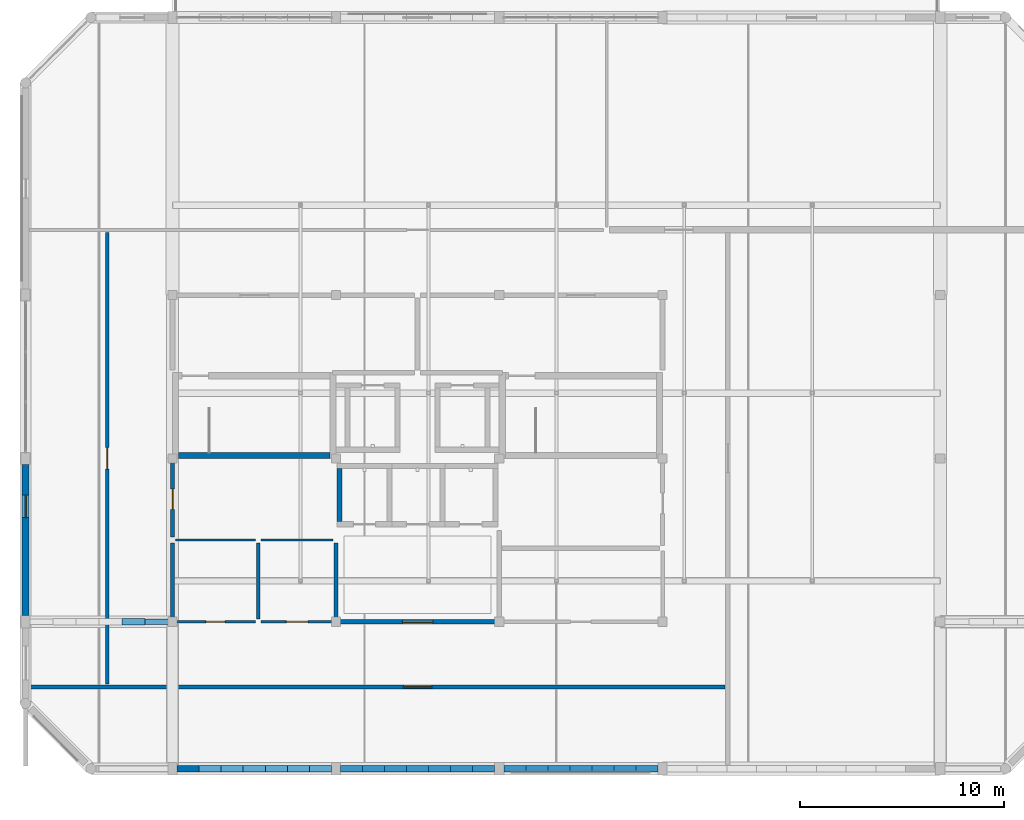
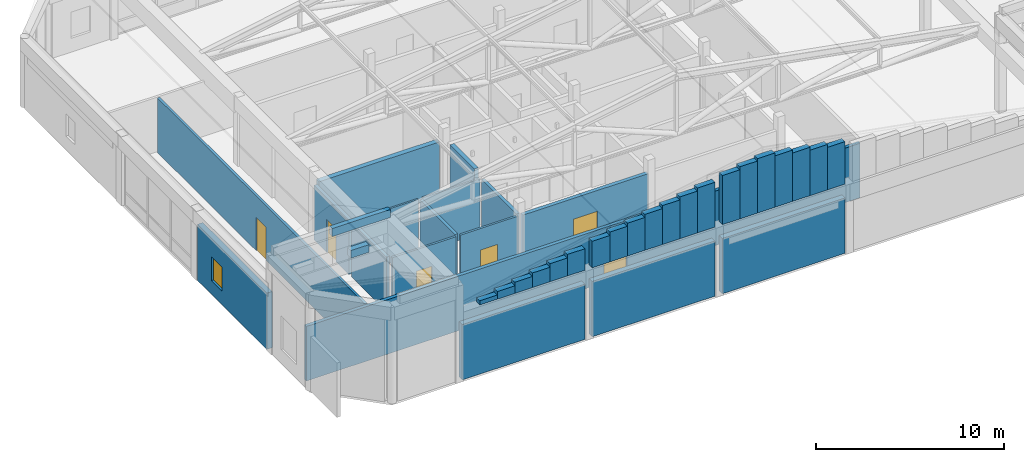
# One storey, part 19 of 24: 39 walls, 6 doors, 1 window, 7 openings.
"""IFC4 building model written with IfcOpenShell, lengths in metres."""

from ifc_helpers import new_model, si_unit, direction, frame, frame_2d, origin, place, context, subcontext, project, spatial, rectangle, extrude, material, layer, layer_set, type_object, element, fill, save


model = new_model("IFC4")

# Units and contexts
model_context = context("Model", 3, precision=1e-05, world=origin(), true_north=direction((0.0, 1.0)))
body_context = subcontext(model_context, "Body", "Model", "MODEL_VIEW")
ifc_project = project(units=[si_unit("LENGTHUNIT", "METRE"), si_unit("AREAUNIT", "SQUARE_METRE"), si_unit("VOLUMEUNIT", "CUBIC_METRE"), si_unit("PLANEANGLEUNIT", "RADIAN"), si_unit("MASSUNIT", "GRAM", prefix="KILO")], contexts=[model_context])

# Site, building, storey
site_placement = place(None, origin())
site = spatial("IfcSite", under=ifc_project, at=site_placement, CompositionType="ELEMENT")
building_placement = place(site_placement, origin())
building = spatial("IfcBuilding", under=site, at=building_placement, Name="Vellmiral Cinema and Media Centre", CompositionType="ELEMENT")
storey_placement = place(building_placement, frame((0.0, 0.0, 66.60009765625)))
storey = spatial("IfcBuildingStorey", under=building, at=storey_placement, Name="L16", CompositionType="ELEMENT", Elevation=66.60009765625)

# Wall, opening, door
ifc_material_1 = material(Name="Concrete C40/50", Category="concrete")
ifc_layer_1 = layer(ifc_material_1, 0.2099609375, Name="Concrete C40/50")
ifc_layer_set_1 = layer_set([ifc_layer_1], Name="Concrete C40/50")
wall_type_1 = type_object("IfcWallType", Name="WL-COMP-210", PredefinedType="SOLIDWALL", material=ifc_layer_set_1)
wall_1_placement = place(storey_placement, frame((124.0, 83.340087890625, 0.0), z_axis=(0.0, 0.0, 1.0), x_axis=(0.0, 1.0, 0.0)))
wall_1 = element("IfcWall", 1, at=wall_1_placement, inside=storey, type_object=wall_type_1, Name="Electrical and Telecom Riser Room Wall W", PredefinedType="SOLIDWALL", context=body_context, shape_type="SweptSolid", body=[
    extrude(rectangle(XDim=3.719970703125, YDim=0.2099609375, at=frame_2d((1.85986328125, 0.0))), origin(), (0.0, 0.0, 1.0), 3.5498046875),
])
opening_1_placement = place(wall_1_placement, frame((1.360107421875, 0.0, 0.0)))
opening_1 = element("IfcOpeningElement", 2, at=opening_1_placement, cuts=wall_1, Name="Opening D-FD30B", PredefinedType="OPENING", context=body_context, shape_type="SweptSolid", body=[
    extrude(rectangle(XDim=1.0, YDim=2.14990234375, at=frame_2d((0.5, 1.074951171875))), frame((0.0, 0.116943359375, 0.0), z_axis=(0.0, -1.0, 0.0), x_axis=(1.0, 0.0, 0.0)), (0.0, 0.0, 1.0), 0.23388671875),
])
ifc_material_2 = material(Name="Steel Riser Fire Door", Category="steel")
door_type_1 = type_object("IfcDoorType", Name="DR-FD30-1000x2150", OperationType="NOTDEFINED", PredefinedType="DOOR", material=ifc_material_2)
door_1_placement = place(opening_1_placement, frame((1.0, 0.0, 0.0), z_axis=(0.0, 0.0, 1.0), x_axis=(-1.0, 0.0, 0.0)))
door_1 = element("IfcDoor", 3, at=door_1_placement, inside=storey, type_object=door_type_1, Name="Electrical and Telecom Riser Room Door", OperationType="SINGLE_SWING_LEFT", OverallHeight=2.14990234375, OverallWidth=1.0, PredefinedType="DOOR", context=body_context, shape_type="SweptSolid", body=[
    extrude(rectangle(XDim=1.0, YDim=2.14990234375, at=frame_2d((0.5, 1.074951171875))), frame((0.0, 0.02490234375, 0.0), z_axis=(0.0, -1.0, 0.0), x_axis=(1.0, 0.0, 0.0)), (0.0, 0.0, 1.0), 0.050048828125),
])
fill(opening_1, door_1)

wall_2_placement = place(storey_placement, frame((116.97509765625, 76.0, 0.0), z_axis=(0.0, 0.0, 1.0), x_axis=(1.0, 0.0, 0.0)))
wall_2 = element("IfcWall", 4, at=wall_2_placement, inside=storey, type_object=wall_type_1, Name="Crown Smoke-Extract and AHU Plant Room Wall N", PredefinedType="SOLIDWALL", context=body_context, shape_type="SweptSolid", body=[
    extrude(rectangle(XDim=34.0849609375, YDim=0.2099609375, at=frame_2d((17.04248046875, 0.0))), origin(), (0.0, 0.0, 1.0), 3.5498046875),
])
opening_2_placement = place(wall_2_placement, frame((18.324951171875, 0.0, 0.0)))
opening_2 = element("IfcOpeningElement", 5, at=opening_2_placement, cuts=wall_2, Name="Opening D-FD60B", PredefinedType="OPENING", context=body_context, shape_type="SweptSolid", body=[
    extrude(rectangle(XDim=1.39990234375, YDim=2.199951171875, at=frame_2d((0.699951171875, 1.10009765625))), frame((0.0, 0.116943359375, 0.0), z_axis=(0.0, -1.0, 0.0), x_axis=(1.0, 0.0, 0.0)), (0.0, 0.0, 1.0), 0.23388671875),
])
ifc_material_3 = material(Name="Steel Fire Door", Category="steel")
door_type_2 = type_object("IfcDoorType", Name="DR-FD60-1400x2200", OperationType="NOTDEFINED", PredefinedType="DOOR", material=ifc_material_3)
door_2_placement = place(opening_2_placement, frame((1.39990234375, 0.0, 0.0), z_axis=(0.0, 0.0, 1.0), x_axis=(-1.0, 0.0, 0.0)))
door_2 = element("IfcDoor", 6, at=door_2_placement, inside=storey, type_object=door_type_2, Name="Crown Smoke-Extract and AHU Plant Room Door", OperationType="SINGLE_SWING_LEFT", OverallHeight=2.199951171875, OverallWidth=1.39990234375, PredefinedType="DOOR", context=body_context, shape_type="SweptSolid", body=[
    extrude(rectangle(XDim=1.39990234375, YDim=2.199951171875, at=frame_2d((0.699951171875, 1.10009765625))), frame((0.0, 0.02490234375, 0.0), z_axis=(0.0, -1.0, 0.0), x_axis=(1.0, 0.0, 0.0)), (0.0, 0.0, 1.0), 0.050048828125),
])
fill(opening_2, door_2)

# Walls
ifc_material_4 = material(Name="Concrete C40/50", Category="concrete")
ifc_layer_2 = layer(ifc_material_4, 0.300048828125, Name="Concrete C40/50")
ifc_layer_set_2 = layer_set([ifc_layer_2], Name="Concrete C40/50")
wall_type_2 = type_object("IfcWallType", Name="WL-CORE-300", PredefinedType="SHEAR", material=ifc_layer_set_2)
wall_3_placement = place(storey_placement, frame((124.300048828125, 87.35009765625, 0.0), z_axis=(0.0, 0.0, 1.0), x_axis=(1.0, 0.0, 0.0)))
element("IfcWall", 7, at=wall_3_placement, inside=storey, type_object=wall_type_2, Name="Stair Core Wall ST-T1 L16-S", PredefinedType="SHEAR", context=body_context, shape_type="SweptSolid", body=[
    extrude(rectangle(XDim=7.39990234375, YDim=0.300048828125, at=frame_2d((3.699951171875, 0.0))), origin(), (0.0, 0.0, 1.0), 3.5498046875),
])
ifc_material_5 = material(Name="Polychrome Glazed Ceramic Cladding", Category="masonry")
ifc_layer_3 = layer(ifc_material_5, 0.320068359375, Name="Polychrome Glazed Ceramic Cladding")
ifc_layer_set_3 = layer_set([ifc_layer_3], Name="Polychrome Glazed Ceramic Cladding")
wall_type_3 = type_object("IfcWallType", Name="WL-EXT-BRICK-320", PredefinedType="SOLIDWALL", material=ifc_layer_set_3)
wall_4_placement = place(storey_placement, frame((132.22509765625, 72.0, 0.0), z_axis=(0.0, 0.0, 1.0), x_axis=(1.0, 0.0, 0.0)))
element("IfcWall", 8, at=wall_4_placement, inside=storey, type_object=wall_type_3, Name="Exterior Facade Wall L16-003", PredefinedType="SOLIDWALL", context=body_context, shape_type="SweptSolid", body=[
    extrude(rectangle(XDim=7.5498046875, YDim=0.320068359375, at=frame_2d((3.77490234375, 0.0))), origin(), (0.0, 0.0, 1.0), 3.599853515625),
])
ifc_material_6 = material(Name="Vosges Red Sandstone Masonry", Category="masonry")
ifc_layer_4 = layer(ifc_material_6, 0.340087890625, Name="Vosges Red Sandstone Masonry")
ifc_layer_set_4 = layer_set([ifc_layer_4], Name="Vosges Red Sandstone Masonry")
wall_type_4 = type_object("IfcWallType", Name="WL-EXT-SAND-340", PredefinedType="SOLIDWALL", material=ifc_layer_set_4)
for number, where, z_axis, x_axis, name in (
    (9, (124.22509765625, 72.0, 0.0), (0.0, 0.0, 1.0), (1.0, 0.0, 0.0), "Exterior Facade Wall L16-002"),
    (10, (140.22509765625, 72.0, 0.0), (0.0, 0.0, 1.0), (1.0, 0.0, 0.0), "Exterior Facade Wall L16-004"),
):
    element("IfcWall", number, at=place(storey_placement, frame(where, z_axis=z_axis, x_axis=x_axis)), inside=storey, type_object=wall_type_4, Name=name, PredefinedType="SOLIDWALL", context=body_context, shape_type="SweptSolid", body=[
        extrude(rectangle(XDim=7.5498046875, YDim=0.340087890625, at=frame_2d((3.77490234375, 0.0))), origin(), (0.0, 0.0, 1.0), 3.599853515625),
    ])

# Wall, opening, window
wall_5_placement = place(storey_placement, frame((116.800048828125, 86.89990234375, 0.0), z_axis=(0.0, 0.0, 1.0), x_axis=(0.0, -1.0, 0.0)))
wall_5 = element("IfcWall", 11, at=wall_5_placement, inside=storey, type_object=wall_type_4, Name="Exterior Facade Wall L16-022", PredefinedType="SOLIDWALL", context=body_context, shape_type="SweptSolid", body=[
    extrude(rectangle(XDim=7.39990234375, YDim=0.340087890625, at=frame_2d((3.699951171875, 0.0))), origin(), (0.0, 0.0, 1.0), 3.64990234375),
])
opening_3_placement = place(wall_5_placement, frame((1.5, 0.0, 0.89990234375)))
opening_3 = element("IfcOpeningElement", 12, at=opening_3_placement, cuts=wall_5, Name="Opening WN-11", PredefinedType="OPENING", context=body_context, shape_type="SweptSolid", body=[
    extrude(rectangle(XDim=1.10009765625, YDim=1.550048828125, at=frame_2d((0.550048828125, 0.77490234375))), frame((0.0, 0.18212890625, 0.0), z_axis=(0.0, -1.0, 0.0), x_axis=(1.0, 0.0, 0.0)), (0.0, 0.0, 1.0), 0.364013671875),
])
ifc_material_7 = material(Name="Thermally Broken Aluminium Triple Glazing", Category="aluminium")
window_type = type_object("IfcWindowType", Name="WN-1100x1550", PartitioningType="SINGLE_PANEL", PredefinedType="WINDOW", material=ifc_material_7)
window_placement = place(opening_3_placement, origin())
window = element("IfcWindow", 13, at=window_placement, inside=storey, type_object=window_type, Name="Window L16-022", OverallHeight=1.550048828125, OverallWidth=1.10009765625, PartitioningType="SINGLE_PANEL", PredefinedType="WINDOW", context=body_context, shape_type="SweptSolid", body=[
    extrude(rectangle(XDim=1.10009765625, YDim=1.550048828125, at=frame_2d((0.550048828125, 0.77490234375))), frame((0.0, 0.030029296875, 0.0), z_axis=(0.0, -1.0, 0.0), x_axis=(1.0, 0.0, 0.0)), (0.0, 0.0, 1.0), 0.06005859375),
])
fill(opening_3, window)

# Walls
wall_6_placement = place(storey_placement, frame((125.3037109375, 72.0, 4.5), z_axis=(0.0, 0.0, 1.0), x_axis=(1.0, 0.0, 0.0)))
element("IfcWall", 14, at=wall_6_placement, inside=storey, type_object=wall_type_4, Name="Tower Crown Catalan Barrel Vault Gable End Wall S-1", PredefinedType="SOLIDWALL", context=body_context, shape_type="SweptSolid", body=[
    extrude(rectangle(XDim=1.078369140625, YDim=0.340087890625, at=frame_2d((0.5390625, 0.0))), origin(), (0.0, 0.0, 1.0), 0.272216796875),
])
wall_7_placement = place(storey_placement, frame((126.382080078125, 72.0, 4.5), z_axis=(0.0, 0.0, 1.0), x_axis=(1.0, 0.0, 0.0)))
element("IfcWall", 15, at=wall_7_placement, inside=storey, type_object=wall_type_4, Name="Tower Crown Catalan Barrel Vault Gable End Wall S-2", PredefinedType="SOLIDWALL", context=body_context, shape_type="SweptSolid", body=[
    extrude(rectangle(XDim=1.07861328125, YDim=0.340087890625, at=frame_2d((0.539306640625, 0.0))), origin(), (0.0, 0.0, 1.0), 0.49755859375),
])
wall_8_placement = place(storey_placement, frame((127.460693359375, 72.0, 4.5), z_axis=(0.0, 0.0, 1.0), x_axis=(1.0, 0.0, 0.0)))
element("IfcWall", 16, at=wall_8_placement, inside=storey, type_object=wall_type_4, Name="Tower Crown Catalan Barrel Vault Gable End Wall S-3", PredefinedType="SOLIDWALL", context=body_context, shape_type="SweptSolid", body=[
    extrude(rectangle(XDim=1.07861328125, YDim=0.340087890625, at=frame_2d((0.539306640625, 0.0))), origin(), (0.0, 0.0, 1.0), 0.722900390625),
])
wall_9_placement = place(storey_placement, frame((128.539306640625, 72.0, 4.5), z_axis=(0.0, 0.0, 1.0), x_axis=(1.0, 0.0, 0.0)))
element("IfcWall", 17, at=wall_9_placement, inside=storey, type_object=wall_type_4, Name="Tower Crown Catalan Barrel Vault Gable End Wall S-4", PredefinedType="SOLIDWALL", context=body_context, shape_type="SweptSolid", body=[
    extrude(rectangle(XDim=1.07861328125, YDim=0.340087890625, at=frame_2d((0.539306640625, 0.0))), origin(), (0.0, 0.0, 1.0), 0.9482421875),
])
wall_10_placement = place(storey_placement, frame((129.617919921875, 72.0, 4.5), z_axis=(0.0, 0.0, 1.0), x_axis=(1.0, 0.0, 0.0)))
element("IfcWall", 18, at=wall_10_placement, inside=storey, type_object=wall_type_4, Name="Tower Crown Catalan Barrel Vault Gable End Wall S-5", PredefinedType="SOLIDWALL", context=body_context, shape_type="SweptSolid", body=[
    extrude(rectangle(XDim=1.078369140625, YDim=0.340087890625, at=frame_2d((0.5390625, 0.0))), origin(), (0.0, 0.0, 1.0), 1.173583984375),
])
wall_11_placement = place(storey_placement, frame((130.6962890625, 72.0, 4.5), z_axis=(0.0, 0.0, 1.0), x_axis=(1.0, 0.0, 0.0)))
element("IfcWall", 19, at=wall_11_placement, inside=storey, type_object=wall_type_4, Name="Tower Crown Catalan Barrel Vault Gable End Wall S-6", PredefinedType="SOLIDWALL", context=body_context, shape_type="SweptSolid", body=[
    extrude(rectangle(XDim=1.07861328125, YDim=0.340087890625, at=frame_2d((0.539306640625, 0.0))), origin(), (0.0, 0.0, 1.0), 1.39892578125),
])
wall_12_placement = place(storey_placement, frame((132.22509765625, 72.0, 4.5), z_axis=(0.0, 0.0, 1.0), x_axis=(1.0, 0.0, 0.0)))
element("IfcWall", 20, at=wall_12_placement, inside=storey, type_object=wall_type_4, Name="Tower Crown Catalan Barrel Vault Gable End Wall S-7", PredefinedType="SOLIDWALL", context=body_context, shape_type="SweptSolid", body=[
    extrude(rectangle(XDim=1.07861328125, YDim=0.340087890625, at=frame_2d((0.539306640625, 0.0))), origin(), (0.0, 0.0, 1.0), 1.71826171875),
])
wall_13_placement = place(storey_placement, frame((133.3037109375, 72.0, 4.5), z_axis=(0.0, 0.0, 1.0), x_axis=(1.0, 0.0, 0.0)))
element("IfcWall", 21, at=wall_13_placement, inside=storey, type_object=wall_type_4, Name="Tower Crown Catalan Barrel Vault Gable End Wall S-8", PredefinedType="SOLIDWALL", context=body_context, shape_type="SweptSolid", body=[
    extrude(rectangle(XDim=1.078369140625, YDim=0.340087890625, at=frame_2d((0.5390625, 0.0))), origin(), (0.0, 0.0, 1.0), 1.943603515625),
])
wall_14_placement = place(storey_placement, frame((134.382080078125, 72.0, 4.5), z_axis=(0.0, 0.0, 1.0), x_axis=(1.0, 0.0, 0.0)))
element("IfcWall", 22, at=wall_14_placement, inside=storey, type_object=wall_type_4, Name="Tower Crown Catalan Barrel Vault Gable End Wall S-9", PredefinedType="SOLIDWALL", context=body_context, shape_type="SweptSolid", body=[
    extrude(rectangle(XDim=1.07861328125, YDim=0.340087890625, at=frame_2d((0.539306640625, 0.0))), origin(), (0.0, 0.0, 1.0), 2.140380859375),
])
wall_15_placement = place(storey_placement, frame((135.460693359375, 72.0, 4.5), z_axis=(0.0, 0.0, 1.0), x_axis=(1.0, 0.0, 0.0)))
element("IfcWall", 23, at=wall_15_placement, inside=storey, type_object=wall_type_4, Name="Tower Crown Catalan Barrel Vault Gable End Wall S-10", PredefinedType="SOLIDWALL", context=body_context, shape_type="SweptSolid", body=[
    extrude(rectangle(XDim=1.07861328125, YDim=0.340087890625, at=frame_2d((0.539306640625, 0.0))), origin(), (0.0, 0.0, 1.0), 2.33447265625),
])
wall_16_placement = place(storey_placement, frame((136.539306640625, 72.0, 4.5), z_axis=(0.0, 0.0, 1.0), x_axis=(1.0, 0.0, 0.0)))
element("IfcWall", 24, at=wall_16_placement, inside=storey, type_object=wall_type_4, Name="Tower Crown Catalan Barrel Vault Gable End Wall S-11", PredefinedType="SOLIDWALL", context=body_context, shape_type="SweptSolid", body=[
    extrude(rectangle(XDim=1.07861328125, YDim=0.340087890625, at=frame_2d((0.539306640625, 0.0))), origin(), (0.0, 0.0, 1.0), 2.528564453125),
])
wall_17_placement = place(storey_placement, frame((137.617919921875, 72.0, 4.5), z_axis=(0.0, 0.0, 1.0), x_axis=(1.0, 0.0, 0.0)))
element("IfcWall", 25, at=wall_17_placement, inside=storey, type_object=wall_type_4, Name="Tower Crown Catalan Barrel Vault Gable End Wall S-12", PredefinedType="SOLIDWALL", context=body_context, shape_type="SweptSolid", body=[
    extrude(rectangle(XDim=1.078369140625, YDim=0.340087890625, at=frame_2d((0.5390625, 0.0))), origin(), (0.0, 0.0, 1.0), 2.72265625),
])
wall_18_placement = place(storey_placement, frame((138.6962890625, 72.0, 4.5), z_axis=(0.0, 0.0, 1.0), x_axis=(1.0, 0.0, 0.0)))
element("IfcWall", 26, at=wall_18_placement, inside=storey, type_object=wall_type_4, Name="Tower Crown Catalan Barrel Vault Gable End Wall S-13", PredefinedType="SOLIDWALL", context=body_context, shape_type="SweptSolid", body=[
    extrude(rectangle(XDim=1.07861328125, YDim=0.340087890625, at=frame_2d((0.539306640625, 0.0))), origin(), (0.0, 0.0, 1.0), 2.91650390625),
])
wall_19_placement = place(storey_placement, frame((140.22509765625, 72.0, 4.5), z_axis=(0.0, 0.0, 1.0), x_axis=(1.0, 0.0, 0.0)))
element("IfcWall", 27, at=wall_19_placement, inside=storey, type_object=wall_type_4, Name="Tower Crown Catalan Barrel Vault Gable End Wall S-14", PredefinedType="SOLIDWALL", context=body_context, shape_type="SweptSolid", body=[
    extrude(rectangle(XDim=1.07861328125, YDim=0.340087890625, at=frame_2d((0.539306640625, 0.0))), origin(), (0.0, 0.0, 1.0), 3.191650390625),
])
wall_20_placement = place(storey_placement, frame((141.3037109375, 72.0, 4.5), z_axis=(0.0, 0.0, 1.0), x_axis=(1.0, 0.0, 0.0)))
element("IfcWall", 28, at=wall_20_placement, inside=storey, type_object=wall_type_4, Name="Tower Crown Catalan Barrel Vault Gable End Wall S-15", PredefinedType="SOLIDWALL", context=body_context, shape_type="SweptSolid", body=[
    extrude(rectangle(XDim=1.078369140625, YDim=0.340087890625, at=frame_2d((0.5390625, 0.0))), origin(), (0.0, 0.0, 1.0), 3.3857421875),
])
wall_21_placement = place(storey_placement, frame((142.382080078125, 72.0, 4.5), z_axis=(0.0, 0.0, 1.0), x_axis=(1.0, 0.0, 0.0)))
element("IfcWall", 29, at=wall_21_placement, inside=storey, type_object=wall_type_4, Name="Tower Crown Catalan Barrel Vault Gable End Wall S-16", PredefinedType="SOLIDWALL", context=body_context, shape_type="SweptSolid", body=[
    extrude(rectangle(XDim=1.07861328125, YDim=0.340087890625, at=frame_2d((0.539306640625, 0.0))), origin(), (0.0, 0.0, 1.0), 3.5361328125),
])
wall_22_placement = place(storey_placement, frame((143.460693359375, 72.0, 4.5), z_axis=(0.0, 0.0, 1.0), x_axis=(1.0, 0.0, 0.0)))
element("IfcWall", 30, at=wall_22_placement, inside=storey, type_object=wall_type_4, Name="Tower Crown Catalan Barrel Vault Gable End Wall S-17", PredefinedType="SOLIDWALL", context=body_context, shape_type="SweptSolid", body=[
    extrude(rectangle(XDim=1.07861328125, YDim=0.340087890625, at=frame_2d((0.539306640625, 0.0))), origin(), (0.0, 0.0, 1.0), 3.342041015625),
])
wall_23_placement = place(storey_placement, frame((144.539306640625, 72.0, 4.5), z_axis=(0.0, 0.0, 1.0), x_axis=(1.0, 0.0, 0.0)))
element("IfcWall", 31, at=wall_23_placement, inside=storey, type_object=wall_type_4, Name="Tower Crown Catalan Barrel Vault Gable End Wall S-18", PredefinedType="SOLIDWALL", context=body_context, shape_type="SweptSolid", body=[
    extrude(rectangle(XDim=1.07861328125, YDim=0.340087890625, at=frame_2d((0.539306640625, 0.0))), origin(), (0.0, 0.0, 1.0), 3.14794921875),
])
wall_24_placement = place(storey_placement, frame((145.617919921875, 72.0, 4.5), z_axis=(0.0, 0.0, 1.0), x_axis=(1.0, 0.0, 0.0)))
element("IfcWall", 32, at=wall_24_placement, inside=storey, type_object=wall_type_4, Name="Tower Crown Catalan Barrel Vault Gable End Wall S-19", PredefinedType="SOLIDWALL", context=body_context, shape_type="SweptSolid", body=[
    extrude(rectangle(XDim=1.078369140625, YDim=0.340087890625, at=frame_2d((0.5390625, 0.0))), origin(), (0.0, 0.0, 1.0), 2.953857421875),
])
wall_25_placement = place(storey_placement, frame((146.6962890625, 72.0, 4.5), z_axis=(0.0, 0.0, 1.0), x_axis=(1.0, 0.0, 0.0)))
element("IfcWall", 33, at=wall_25_placement, inside=storey, type_object=wall_type_4, Name="Tower Crown Catalan Barrel Vault Gable End Wall S-20", PredefinedType="SOLIDWALL", context=body_context, shape_type="SweptSolid", body=[
    extrude(rectangle(XDim=1.07861328125, YDim=0.340087890625, at=frame_2d((0.539306640625, 0.0))), origin(), (0.0, 0.0, 1.0), 2.759765625),
])
wall_26_placement = place(storey_placement, frame((121.52490234375, 79.199951171875, 4.5), z_axis=(0.0, 0.0, 1.0), x_axis=(1.0, 0.0, 0.0)))
element("IfcWall", 34, at=wall_26_placement, inside=storey, type_object=wall_type_4, Name="Tower Crown West Gallery Vault Gable End Wall S-4", PredefinedType="SOLIDWALL", context=body_context, shape_type="SweptSolid", body=[
    extrude(rectangle(XDim=1.125, YDim=0.340087890625, at=frame_2d((0.5625, 0.0))), origin(), (0.0, 0.0, 1.0), 0.4912109375),
])

# Wall, opening, door
ifc_material_8 = material(Name="Concrete C40/50", Category="concrete")
ifc_layer_5 = layer(ifc_material_8, 0.22998046875, Name="Concrete C40/50")
ifc_layer_set_5 = layer_set([ifc_layer_5], Name="Concrete C40/50")
wall_type_5 = type_object("IfcWallType", Name="WL-FFL-230", PredefinedType="SOLIDWALL", material=ifc_layer_set_5)
wall_27_placement = place(storey_placement, frame((132.139892578125, 79.199951171875, 0.0), z_axis=(0.0, 0.0, 1.0), x_axis=(1.0, 0.0, 0.0)))
wall_27 = element("IfcWall", 35, at=wall_27_placement, inside=storey, type_object=wall_type_5, Name="Tower Passenger Lift Lobby Wall S", PredefinedType="SOLIDWALL", context=body_context, shape_type="SweptSolid", body=[
    extrude(rectangle(XDim=7.72021484375, YDim=0.22998046875, at=frame_2d((3.860107421875, 0.0))), origin(), (0.0, 0.0, 1.0), 3.5498046875),
])
opening_4_placement = place(wall_27_placement, frame((3.110107421875, 0.0, 0.0)))
opening_4 = element("IfcOpeningElement", 36, at=opening_4_placement, cuts=wall_27, Name="Opening D-FD30", PredefinedType="OPENING", context=body_context, shape_type="SweptSolid", body=[
    extrude(rectangle(XDim=1.5, YDim=2.199951171875, at=frame_2d((0.75, 1.10009765625))), frame((0.0, 0.126953125, 0.0), z_axis=(0.0, -1.0, 0.0), x_axis=(1.0, 0.0, 0.0)), (0.0, 0.0, 1.0), 0.25390625),
])
ifc_material_9 = material(Name="Timber-Core Fire Door", Category="wood")
door_type_3 = type_object("IfcDoorType", Name="DR-FD30-1500x2200", OperationType="DOUBLE_DOOR_SINGLE_SWING", PredefinedType="DOOR", material=ifc_material_9)
door_3_placement = place(opening_4_placement, frame((1.5, 0.0, 0.0), z_axis=(0.0, 0.0, 1.0), x_axis=(-1.0, 0.0, 0.0)))
door_3 = element("IfcDoor", 37, at=door_3_placement, inside=storey, type_object=door_type_3, Name="Tower Passenger Lift Lobby Door", OperationType="DOUBLE_DOOR_SINGLE_SWING", OverallHeight=2.199951171875, OverallWidth=1.5, PredefinedType="DOOR", context=body_context, shape_type="SweptSolid", body=[
    extrude(rectangle(XDim=1.5, YDim=2.199951171875, at=frame_2d((0.75, 1.10009765625))), frame((0.0, 0.02490234375, 0.0), z_axis=(0.0, -1.0, 0.0), x_axis=(1.0, 0.0, 0.0)), (0.0, 0.0, 1.0), 0.050048828125),
])
fill(opening_4, door_3)

# Walls
ifc_material_10 = material(Name="Gypsum Plasterboard")
ifc_layer_6 = layer(ifc_material_10, 0.02490234375, Name="Gypsum Plasterboard", Category="gypsum")
ifc_material_11 = material(Name="Mineral Wool Acoustic Insulation", Category="insulation")
ifc_layer_7 = layer(ifc_material_11, 0.06005859375, Name="Mineral Wool Acoustic Insulation", Category="insulation")
ifc_layer_8 = layer(ifc_material_10, 0.02490234375, Name="Gypsum Plasterboard", Category="gypsum")
ifc_layer_set_6 = layer_set([ifc_layer_6, ifc_layer_7, ifc_layer_8], Name="Gypsum Plasterboard")
wall_type_6 = type_object("IfcWallType", Name="WL-PART-110", PredefinedType="PARTITIONING", material=ifc_layer_set_6)
wall_28_placement = place(storey_placement, frame((124.139892578125, 83.199951171875, 0.0), z_axis=(0.0, 0.0, 1.0), x_axis=(1.0, 0.0, 0.0)))
element("IfcWall", 38, at=wall_28_placement, inside=storey, type_object=wall_type_6, Name="Staff WC Wall N", PredefinedType="PARTITIONING", context=body_context, shape_type="SweptSolid", body=[
    extrude(rectangle(XDim=3.920166015625, YDim=0.110107421875, at=frame_2d((1.9599609375, 0.0))), origin(), (0.0, 0.0, 1.0), 3.5498046875),
])
wall_29_placement = place(storey_placement, frame((128.340087890625, 83.199951171875, 0.0), z_axis=(0.0, 0.0, 1.0), x_axis=(1.0, 0.0, 0.0)))
element("IfcWall", 39, at=wall_29_placement, inside=storey, type_object=wall_type_6, Name="Accessible WC Wall N", PredefinedType="PARTITIONING", context=body_context, shape_type="SweptSolid", body=[
    extrude(rectangle(XDim=3.52001953125, YDim=0.110107421875, at=frame_2d((1.760009765625, 0.0))), origin(), (0.0, 0.0, 1.0), 3.5498046875),
])

# Wall, opening, door
ifc_material_12 = material(Name="Gypsum Plasterboard")
ifc_layer_9 = layer(ifc_material_12, 0.02490234375, Name="Gypsum Plasterboard", Category="gypsum")
ifc_material_13 = material(Name="Mineral Wool Acoustic Insulation", Category="insulation")
ifc_layer_10 = layer(ifc_material_13, 0.080078125, Name="Mineral Wool Acoustic Insulation", Category="insulation")
ifc_layer_11 = layer(ifc_material_12, 0.02490234375, Name="Gypsum Plasterboard", Category="gypsum")
ifc_layer_set_7 = layer_set([ifc_layer_9, ifc_layer_10, ifc_layer_11], Name="Gypsum Plasterboard")
wall_type_7 = type_object("IfcWallType", Name="WL-PART-130", PredefinedType="PARTITIONING", material=ifc_layer_set_7)
wall_30_placement = place(storey_placement, frame((124.139892578125, 79.199951171875, 0.0), z_axis=(0.0, 0.0, 1.0), x_axis=(1.0, 0.0, 0.0)))
wall_30 = element("IfcWall", 40, at=wall_30_placement, inside=storey, type_object=wall_type_7, Name="Staff WC Wall S", PredefinedType="PARTITIONING", context=body_context, shape_type="SweptSolid", body=[
    extrude(rectangle(XDim=3.920166015625, YDim=0.1298828125, at=frame_2d((1.9599609375, 0.0))), origin(), (0.0, 0.0, 1.0), 3.5498046875),
])
opening_5_placement = place(wall_30_placement, frame((1.485107421875, 0.0, 0.0)))
opening_5 = element("IfcOpeningElement", 41, at=opening_5_placement, cuts=wall_30, Name="Opening D-I09", PredefinedType="OPENING", context=body_context, shape_type="SweptSolid", body=[
    extrude(rectangle(XDim=0.949951171875, YDim=2.14990234375, at=frame_2d((0.47509765625, 1.074951171875))), frame((0.0, 0.076904296875, 0.0), z_axis=(0.0, -1.0, 0.0), x_axis=(1.0, 0.0, 0.0)), (0.0, 0.0, 1.0), 0.15380859375),
])
ifc_material_14 = material(Name="Moisture-Resistant Timber Door", Category="wood")
door_type_4 = type_object("IfcDoorType", Name="DR-INT-950x2150", OperationType="NOTDEFINED", PredefinedType="DOOR", material=ifc_material_14)
door_4_placement = place(opening_5_placement, origin())
door_4 = element("IfcDoor", 42, at=door_4_placement, inside=storey, type_object=door_type_4, Name="Staff WC Door", OperationType="SINGLE_SWING_LEFT", OverallHeight=2.14990234375, OverallWidth=0.949951171875, PredefinedType="DOOR", context=body_context, shape_type="SweptSolid", body=[
    extrude(rectangle(XDim=0.949951171875, YDim=2.14990234375, at=frame_2d((0.47509765625, 1.074951171875))), frame((0.0, 0.02490234375, 0.0), z_axis=(0.0, -1.0, 0.0), x_axis=(1.0, 0.0, 0.0)), (0.0, 0.0, 1.0), 0.050048828125),
])
fill(opening_5, door_4)

wall_31_placement = place(storey_placement, frame((128.340087890625, 79.199951171875, 0.0), z_axis=(0.0, 0.0, 1.0), x_axis=(1.0, 0.0, 0.0)))
wall_31 = element("IfcWall", 43, at=wall_31_placement, inside=storey, type_object=wall_type_7, Name="Accessible WC Wall S", PredefinedType="PARTITIONING", context=body_context, shape_type="SweptSolid", body=[
    extrude(rectangle(XDim=3.52001953125, YDim=0.1298828125, at=frame_2d((1.760009765625, 0.0))), origin(), (0.0, 0.0, 1.0), 3.5498046875),
])
opening_6_placement = place(wall_31_placement, frame((1.235107421875, 0.0, 0.0)))
opening_6 = element("IfcOpeningElement", 44, at=opening_6_placement, cuts=wall_31, Name="Opening D-I10", PredefinedType="OPENING", context=body_context, shape_type="SweptSolid", body=[
    extrude(rectangle(XDim=1.050048828125, YDim=2.14990234375, at=frame_2d((0.52490234375, 1.074951171875))), frame((0.0, 0.076904296875, 0.0), z_axis=(0.0, -1.0, 0.0), x_axis=(1.0, 0.0, 0.0)), (0.0, 0.0, 1.0), 0.15380859375),
])
ifc_material_15 = material(Name="Barrier-Free Timber Door", Category="wood")
door_type_5 = type_object("IfcDoorType", Name="DR-ACC-1050x2150", OperationType="NOTDEFINED", PredefinedType="DOOR", material=ifc_material_15)
door_5_placement = place(opening_6_placement, origin())
door_5 = element("IfcDoor", 45, at=door_5_placement, inside=storey, type_object=door_type_5, Name="Accessible WC Door", OperationType="SINGLE_SWING_RIGHT", OverallHeight=2.14990234375, OverallWidth=1.050048828125, PredefinedType="DOOR", context=body_context, shape_type="SweptSolid", body=[
    extrude(rectangle(XDim=1.050048828125, YDim=2.14990234375, at=frame_2d((0.52490234375, 1.074951171875))), frame((0.0, 0.02490234375, 0.0), z_axis=(0.0, -1.0, 0.0), x_axis=(1.0, 0.0, 0.0)), (0.0, 0.0, 1.0), 0.050048828125),
])
fill(opening_6, door_5)

ifc_material_16 = material(Name="Gypsum Plasterboard")
ifc_layer_12 = layer(ifc_material_16, 0.02490234375, Name="Gypsum Plasterboard", Category="gypsum")
ifc_material_17 = material(Name="Mineral Wool Acoustic Insulation", Category="insulation")
ifc_layer_13 = layer(ifc_material_17, 0.10009765625, Name="Mineral Wool Acoustic Insulation", Category="insulation")
ifc_layer_14 = layer(ifc_material_16, 0.02490234375, Name="Gypsum Plasterboard", Category="gypsum")
ifc_layer_set_8 = layer_set([ifc_layer_12, ifc_layer_13, ifc_layer_14], Name="Gypsum Plasterboard")
wall_type_8 = type_object("IfcWallType", Name="WL-PART-150", PredefinedType="PARTITIONING", material=ifc_layer_set_8)
wall_32_placement = place(storey_placement, frame((120.800048828125, 76.139892578125, 0.0), z_axis=(0.0, 0.0, 1.0), x_axis=(0.0, 1.0, 0.0)))
wall_32 = element("IfcWall", 46, at=wall_32_placement, inside=storey, type_object=wall_type_8, Name="Crown Telemetry Control Office Wall E", PredefinedType="PARTITIONING", context=body_context, shape_type="SweptSolid", body=[
    extrude(rectangle(XDim=22.1201171875, YDim=0.14990234375, at=frame_2d((11.06005859375, 0.0))), origin(), (0.0, 0.0, 1.0), 3.5498046875),
])
opening_7_placement = place(wall_32_placement, frame((10.534912109375, 0.0, 0.0)))
opening_7 = element("IfcOpeningElement", 47, at=opening_7_placement, cuts=wall_32, Name="Opening D-I07", PredefinedType="OPENING", context=body_context, shape_type="SweptSolid", body=[
    extrude(rectangle(XDim=1.050048828125, YDim=2.14990234375, at=frame_2d((0.52490234375, 1.074951171875))), frame((0.0, 0.0869140625, 0.0), z_axis=(0.0, -1.0, 0.0), x_axis=(1.0, 0.0, 0.0)), (0.0, 0.0, 1.0), 0.173828125),
])
ifc_material_18 = material(Name="Laminated Timber Door", Category="wood")
door_type_6 = type_object("IfcDoorType", Name="DR-INT-1050x2150", OperationType="NOTDEFINED", PredefinedType="DOOR", material=ifc_material_18)
door_6_placement = place(opening_7_placement, origin())
door_6 = element("IfcDoor", 48, at=door_6_placement, inside=storey, type_object=door_type_6, Name="Crown Telemetry Control Office Door", OperationType="SINGLE_SWING_LEFT", OverallHeight=2.14990234375, OverallWidth=1.050048828125, PredefinedType="DOOR", context=body_context, shape_type="SweptSolid", body=[
    extrude(rectangle(XDim=1.050048828125, YDim=2.14990234375, at=frame_2d((0.52490234375, 1.074951171875))), frame((0.0, 0.02490234375, 0.0), z_axis=(0.0, -1.0, 0.0), x_axis=(1.0, 0.0, 0.0)), (0.0, 0.0, 1.0), 0.050048828125),
])
fill(opening_7, door_6)

# Walls
ifc_material_19 = material(Name="Gypsum Plasterboard")
ifc_layer_15 = layer(ifc_material_19, 0.02490234375, Name="Gypsum Plasterboard", Category="gypsum")
ifc_material_20 = material(Name="Mineral Wool Acoustic Insulation", Category="insulation")
ifc_layer_16 = layer(ifc_material_20, 0.1201171875, Name="Mineral Wool Acoustic Insulation", Category="insulation")
ifc_layer_17 = layer(ifc_material_19, 0.02490234375, Name="Gypsum Plasterboard", Category="gypsum")
ifc_layer_set_9 = layer_set([ifc_layer_15, ifc_layer_16, ifc_layer_17], Name="Gypsum Plasterboard")
wall_type_9 = type_object("IfcWallType", Name="WL-PART-170", PredefinedType="PARTITIONING", material=ifc_layer_set_9)
wall_33_placement = place(storey_placement, frame((128.199951171875, 79.340087890625, 0.0), z_axis=(0.0, 0.0, 1.0), x_axis=(0.0, 1.0, 0.0)))
element("IfcWall", 49, at=wall_33_placement, inside=storey, type_object=wall_type_9, Name="Staff WC Wall E", PredefinedType="PARTITIONING", context=body_context, shape_type="SweptSolid", body=[
    extrude(rectangle(XDim=3.719970703125, YDim=0.169921875, at=frame_2d((1.85986328125, 0.0))), origin(), (0.0, 0.0, 1.0), 3.5498046875),
])
ifc_material_21 = material(Name="Gypsum Plasterboard")
ifc_layer_18 = layer(ifc_material_21, 0.02490234375, Name="Gypsum Plasterboard", Category="gypsum")
ifc_material_22 = material(Name="Mineral Wool Acoustic Insulation", Category="insulation")
ifc_layer_19 = layer(ifc_material_22, 0.139892578125, Name="Mineral Wool Acoustic Insulation", Category="insulation")
ifc_layer_20 = layer(ifc_material_21, 0.02490234375, Name="Gypsum Plasterboard", Category="gypsum")
ifc_layer_set_10 = layer_set([ifc_layer_18, ifc_layer_19, ifc_layer_20], Name="Gypsum Plasterboard")
wall_type_10 = type_object("IfcWallType", Name="WL-PART-190", PredefinedType="PARTITIONING", material=ifc_layer_set_10)
for number, where, z_axis, x_axis, name in (
    (50, (124.0, 79.340087890625, 0.0), (0.0, 0.0, 1.0), (0.0, 1.0, 0.0), "Staff WC Wall W"),
    (51, (132.0, 79.340087890625, 0.0), (0.0, 0.0, 1.0), (0.0, 1.0, 0.0), "Accessible WC Wall E"),
):
    element("IfcWall", number, at=place(storey_placement, frame(where, z_axis=z_axis, x_axis=x_axis)), inside=storey, type_object=wall_type_10, Name=name, PredefinedType="PARTITIONING", context=body_context, shape_type="SweptSolid", body=[
        extrude(rectangle(XDim=3.719970703125, YDim=0.18994140625, at=frame_2d((1.85986328125, 0.0))), origin(), (0.0, 0.0, 1.0), 3.5498046875),
    ])
ifc_material_23 = material(Name="Concrete C40/50", Category="concrete")
ifc_layer_21 = layer(ifc_material_23, 0.25, Name="Concrete C40/50")
ifc_layer_set_11 = layer_set([ifc_layer_21], Name="Concrete C40/50")
wall_type_11 = type_object("IfcWallType", Name="WL-SHAFT-250", PredefinedType="SHEAR", material=ifc_layer_set_11)
wall_34_placement = place(storey_placement, frame((132.175048828125, 84.10009765625, 0.0), z_axis=(0.0, 0.0, 1.0), x_axis=(0.0, 1.0, 0.0)))
element("IfcWall", 52, at=wall_34_placement, inside=storey, type_object=wall_type_11, Name="Lift Shaft Wall LF-P1 L16-W", PredefinedType="SHEAR", context=body_context, shape_type="SweptSolid", body=[
    extrude(rectangle(XDim=2.599853515625, YDim=0.25, at=frame_2d((1.2998046875, 0.0))), origin(), (0.0, 0.0, 1.0), 3.5498046875),
])
ifc_material_24 = material(Name="Vosges Red Sandstone Masonry", Category="masonry")
ifc_layer_22 = layer(ifc_material_24, 0.280029296875, Name="Vosges Red Sandstone Masonry")
ifc_layer_set_12 = layer_set([ifc_layer_22], Name="Vosges Red Sandstone Masonry")
wall_type_12 = type_object("IfcWallType", Name="WL-TURRET-280", PredefinedType="SOLIDWALL", material=ifc_layer_set_12)
wall_35_placement = place(storey_placement, frame((120.39990234375, 79.199951171875, 6.27978515625), z_axis=(0.0, 0.0, 1.0), x_axis=(1.0, 0.0, 0.0)))
element("IfcWall", 53, at=wall_35_placement, inside=storey, type_object=wall_type_12, Name="Torratxa Turret Gable SW-N2", PredefinedType="SOLIDWALL", context=body_context, shape_type="SweptSolid", body=[
    extrude(rectangle(XDim=3.60009765625, YDim=0.280029296875, at=frame_2d((1.800048828125, 0.0))), origin(), (0.0, 0.0, 1.0), 0.52099609375),
])

save(model, "model.ifc")
